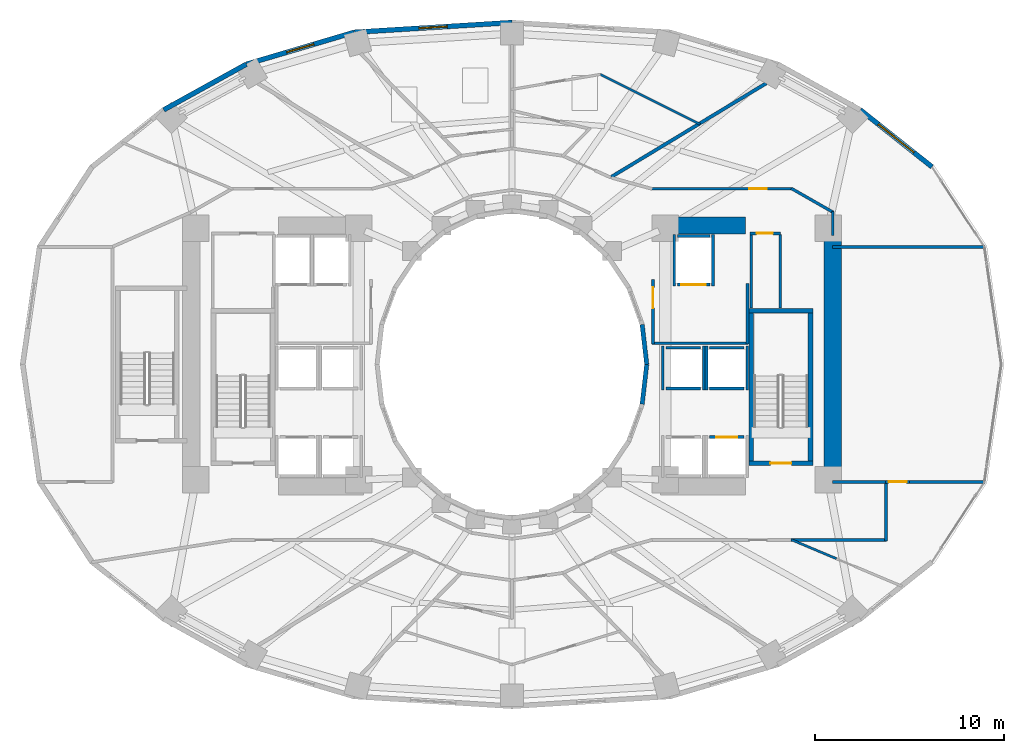
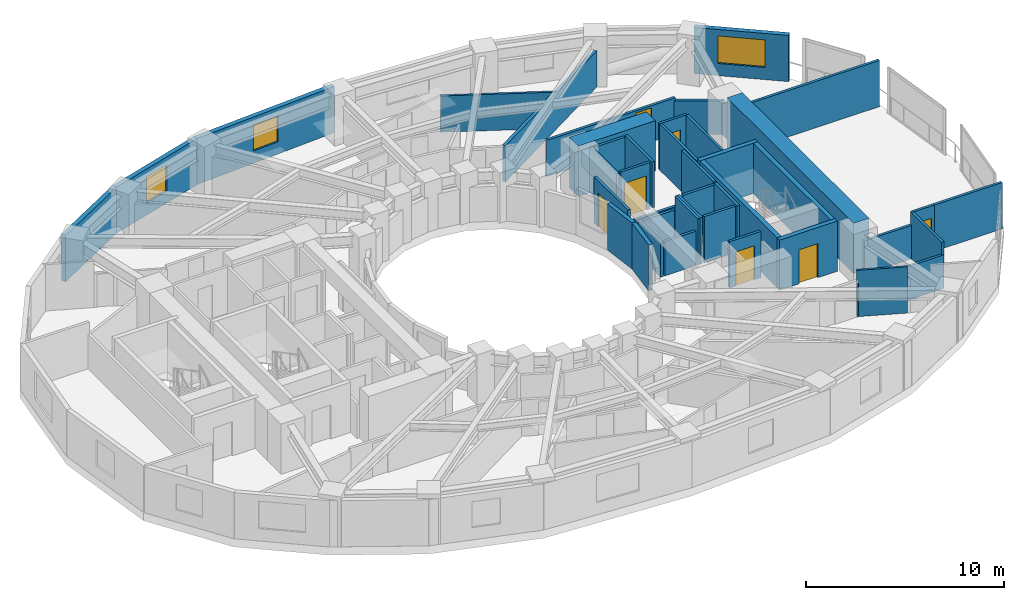
# One storey, part 10 of 15: 43 walls, 7 doors, 3 windows, 10 openings.
"""IFC4 building model written with IfcOpenShell, lengths in metres."""

from ifc_helpers import new_model, si_unit, direction, frame, frame_2d, origin, place, context, subcontext, project, spatial, rectangle, extrude, material, layer, layer_set, type_object, element, fill, save


model = new_model("IFC4")

# Units and contexts
model_context = context("Model", 3, precision=1e-05, world=origin(), true_north=direction((0.0, 1.0)))
body_context = subcontext(model_context, "Body", "Model", "MODEL_VIEW")
ifc_project = project(units=[si_unit("LENGTHUNIT", "METRE"), si_unit("AREAUNIT", "SQUARE_METRE"), si_unit("VOLUMEUNIT", "CUBIC_METRE"), si_unit("PLANEANGLEUNIT", "RADIAN"), si_unit("MASSUNIT", "GRAM", prefix="KILO")], contexts=[model_context])

# Site, building, storey
site_placement = place(None, origin())
site = spatial("IfcSite", under=ifc_project, at=site_placement, CompositionType="ELEMENT")
building_placement = place(site_placement, origin())
building = spatial("IfcBuilding", under=site, at=building_placement, Name="Solvane Sanctuary Tower", CompositionType="ELEMENT")
storey_placement = place(building_placement, frame((0.0, 0.0, 46.199951171875)))
storey = spatial("IfcBuildingStorey", under=building, at=storey_placement, Name="L13", CompositionType="ELEMENT", Elevation=46.199951171875)

# Walls
ifc_material_1 = material(Name="Concrete C70/85", Category="concrete")
ifc_layer_1 = layer(ifc_material_1, 0.89990234375, Name="Concrete C70/85")
ifc_layer_set_1 = layer_set([ifc_layer_1], Name="Concrete C70/85")
wall_type_1 = type_object("IfcWallType", Name="Wall W-CORE-900", PredefinedType="SHEAR", material=ifc_layer_set_1)
wall_1_placement = place(storey_placement, frame((48.949951171875, 17.050048828125, 0.0), z_axis=(0.0, 0.0, 1.0), x_axis=(0.0, 1.0, 0.0)))
element("IfcWall", 1, at=wall_1_placement, inside=storey, type_object=wall_type_1, Name="L13 Core Shear Wall EC-E", PredefinedType="SHEAR", context=body_context, shape_type="SweptSolid", body=[
    extrude(rectangle(XDim=12.800048828125, YDim=0.89990234375, at=frame_2d((6.39990234375, 0.0))), origin(), (0.0, 0.0, 1.0), 3.10009765625),
])
wall_2_placement = place(storey_placement, frame((39.85009765625, 30.35009765625, 0.0), z_axis=(0.0, 0.0, 1.0), x_axis=(1.0, 0.0, 0.0)))
element("IfcWall", 2, at=wall_2_placement, inside=storey, type_object=wall_type_1, Name="L13 Core Shear Wall EC-N", PredefinedType="SHEAR", context=body_context, shape_type="SweptSolid", body=[
    extrude(rectangle(XDim=4.5, YDim=0.89990234375, at=frame_2d((2.25, 0.0))), origin(), (0.0, 0.0, 1.0), 3.10009765625),
])
ifc_material_2 = material(Name="Acoustic Gypsum Partition Board")
ifc_layer_2 = layer(ifc_material_2, 0.14990234375, Name="Acoustic Gypsum Partition Board")
ifc_layer_set_2 = layer_set([ifc_layer_2], Name="Acoustic Gypsum Partition Board")
wall_type_2 = type_object("IfcWallType", Name="Wall W-CORR-150", PredefinedType="PARTITIONING", material=ifc_layer_set_2)
wall_3_placement = place(storey_placement, frame((39.39990234375, 24.1201171875, 0.0), z_axis=(0.0, 0.0, 1.0), x_axis=(1.0, 0.0, 0.0)))
element("IfcWall", 3, at=wall_3_placement, inside=storey, type_object=wall_type_2, Name="L13 East Firefighting Lobby South Wall", PredefinedType="PARTITIONING", context=body_context, shape_type="SweptSolid", body=[
    extrude(rectangle(XDim=5.080078125, YDim=0.14990234375, at=frame_2d((2.5400390625, 0.0))), origin(), (0.0, 0.0, 1.0), 2.1201171875),
])
wall_4_placement = place(storey_placement, frame((44.449951171875, 24.080078125, 0.0), z_axis=(0.0, 0.0, 1.0), x_axis=(0.0, 1.0, 0.0)))
element("IfcWall", 4, at=wall_4_placement, inside=storey, type_object=wall_type_2, Name="L13 East Firefighting Lobby East Wall", PredefinedType="PARTITIONING", context=body_context, shape_type="SweptSolid", body=[
    extrude(rectangle(XDim=3.199951171875, YDim=0.14990234375, at=frame_2d((1.60009765625, 0.0))), origin(), (0.0, 0.0, 1.0), 2.85498046875),
])

# Wall, opening, door
wall_5_placement = place(storey_placement, frame((39.449951171875, 24.080078125, 0.0), z_axis=(0.0, 0.0, 1.0), x_axis=(0.0, 1.0, 0.0)))
wall_5 = element("IfcWall", 5, at=wall_5_placement, inside=storey, type_object=wall_type_2, Name="L13 East Firefighting Lobby West Wall", PredefinedType="PARTITIONING", context=body_context, shape_type="SweptSolid", body=[
    extrude(rectangle(XDim=3.39990234375, YDim=0.14990234375, at=frame_2d((1.699951171875, 0.0))), origin(), (0.0, 0.0, 1.0), 2.85498046875),
])
opening_1_placement = place(wall_5_placement, frame((1.893798828125, 0.0, 0.0)))
opening_1 = element("IfcOpeningElement", 6, at=opening_1_placement, cuts=wall_5, Name="Opening D-L13-05", PredefinedType="OPENING", context=body_context, shape_type="SweptSolid", body=[
    extrude(rectangle(XDim=1.10009765625, YDim=2.10009765625, at=frame_2d((0.550048828125, 1.050048828125))), frame((0.0, 0.0849609375, 0.0), z_axis=(0.0, -1.0, 0.0), x_axis=(1.0, 0.0, 0.0)), (0.0, 0.0, 1.0), 0.169921875),
])
ifc_material_3 = material(Name="Architectural Stainless Steel 316", Category="steel")
door_type_1 = type_object("IfcDoorType", Name="Door D-FFL", OperationType="NOTDEFINED", PredefinedType="DOOR", material=ifc_material_3)
door_1_placement = place(opening_1_placement, origin())
door_1 = element("IfcDoor", 7, at=door_1_placement, inside=storey, type_object=door_type_1, Name="L13 East Firefighting Lobby Fire Door", OperationType="SINGLE_SWING_RIGHT", OverallHeight=2.10009765625, OverallWidth=1.10009765625, PredefinedType="DOOR", context=body_context, shape_type="SweptSolid", body=[
    extrude(rectangle(XDim=1.10009765625, YDim=2.10009765625, at=frame_2d((0.550048828125, 1.050048828125))), frame((0.0, 0.02490234375, 0.0), z_axis=(0.0, -1.0, 0.0), x_axis=(1.0, 0.0, 0.0)), (0.0, 0.0, 1.0), 0.050048828125),
])
fill(opening_1, door_1)

# Wall
wall_6_placement = place(storey_placement, frame((48.949951171875, 16.788330078125, 0.0), z_axis=(0.0, 0.0, 1.0), x_axis=(1.0, 0.0, 0.0)))
element("IfcWall", 8, at=wall_6_placement, inside=storey, type_object=wall_type_2, Name="L13 East Shoulder South Wall", PredefinedType="PARTITIONING", context=body_context, shape_type="SweptSolid", body=[
    extrude(rectangle(XDim=2.79296875, YDim=0.14990234375, at=frame_2d((1.396484375, 0.0))), origin(), (0.0, 0.0, 1.0), 2.069091796875),
])

# Wall, opening, door
wall_7_placement = place(storey_placement, frame((51.742919921875, 16.788330078125, 0.0), z_axis=(0.0, 0.0, 1.0), x_axis=(1.0, 0.0, 0.0)))
wall_7 = element("IfcWall", 9, at=wall_7_placement, inside=storey, type_object=wall_type_2, Name="L13 East Shoulder South Wall", PredefinedType="PARTITIONING", context=body_context, shape_type="SweptSolid", body=[
    extrude(rectangle(XDim=1.27001953125, YDim=0.14990234375, at=frame_2d((0.635009765625, 0.0))), origin(), (0.0, 0.0, 1.0), 2.85498046875),
])
opening_2_placement = place(wall_7_placement, frame((0.159912109375, 0.0, 0.0)))
opening_2 = element("IfcOpeningElement", 10, at=opening_2_placement, cuts=wall_7, Name="Opening D-L13-08", PredefinedType="OPENING", context=body_context, shape_type="SweptSolid", body=[
    extrude(rectangle(XDim=0.949951171875, YDim=2.10009765625, at=frame_2d((0.47509765625, 1.050048828125))), frame((0.0, 0.0849609375, 0.0), z_axis=(0.0, -1.0, 0.0), x_axis=(1.0, 0.0, 0.0)), (0.0, 0.0, 1.0), 0.169921875),
])
ifc_material_4 = material(Name="Engineered Tropical Hardwood", Category="wood")
door_type_2 = type_object("IfcDoorType", Name="Door D-ROOM-950", OperationType="NOTDEFINED", PredefinedType="DOOR", material=ifc_material_4)
door_2_placement = place(opening_2_placement, origin())
door_2 = element("IfcDoor", 11, at=door_2_placement, inside=storey, type_object=door_type_2, Name="L13 East Shoulder South Door", OperationType="SINGLE_SWING_LEFT", OverallHeight=2.10009765625, OverallWidth=0.949951171875, PredefinedType="DOOR", context=body_context, shape_type="SweptSolid", body=[
    extrude(rectangle(XDim=0.949951171875, YDim=2.10009765625, at=frame_2d((0.47509765625, 1.050048828125))), frame((0.0, 0.02490234375, 0.0), z_axis=(0.0, -1.0, 0.0), x_axis=(1.0, 0.0, 0.0)), (0.0, 0.0, 1.0), 0.050048828125),
])
fill(opening_2, door_2)

# Walls
wall_8_placement = place(storey_placement, frame((53.012939453125, 16.788330078125, 0.0), z_axis=(0.0, 0.0, 1.0), x_axis=(1.0, 0.0, 0.0)))
element("IfcWall", 12, at=wall_8_placement, inside=storey, type_object=wall_type_2, Name="L13 East Shoulder South Wall", PredefinedType="PARTITIONING", context=body_context, shape_type="SweptSolid", body=[
    extrude(rectangle(XDim=3.973388671875, YDim=0.14990234375, at=frame_2d((1.98681640625, 0.0))), origin(), (0.0, 0.0, 1.0), 2.85498046875),
])
wall_9_placement = place(storey_placement, frame((48.949951171875, 29.211669921875, 0.0), z_axis=(0.0, 0.0, 1.0), x_axis=(1.0, 0.0, 0.0)))
element("IfcWall", 13, at=wall_9_placement, inside=storey, type_object=wall_type_2, Name="L13 East Shoulder North Wall", PredefinedType="PARTITIONING", context=body_context, shape_type="SweptSolid", body=[
    extrude(rectangle(XDim=8.036376953125, YDim=0.14990234375, at=frame_2d((4.01806640625, 0.0))), origin(), (0.0, 0.0, 1.0), 2.85498046875),
])
wall_10_placement = place(storey_placement, frame((48.949951171875, 29.800048828125, 0.0), z_axis=(0.0, 0.0, 1.0), x_axis=(0.0, 1.0, 0.0)))
element("IfcWall", 14, at=wall_10_placement, inside=storey, type_object=wall_type_2, Name="L13 NE Corner Closer 1", PredefinedType="PARTITIONING", context=body_context, shape_type="SweptSolid", body=[
    extrude(rectangle(XDim=1.2900390625, YDim=0.14990234375, at=frame_2d((0.64501953125, 0.0))), origin(), (0.0, 0.0, 1.0), 2.069091796875),
])

# Wall, opening, door
wall_11_placement = place(storey_placement, frame((39.330078125, 32.280029296875, 0.0), z_axis=(0.0, 0.0, 1.0), x_axis=(1.0, 0.0, 0.0)))
wall_11 = element("IfcWall", 15, at=wall_11_placement, inside=storey, type_object=wall_type_2, Name="L13 NE Corner Corridor Wall", PredefinedType="PARTITIONING", context=body_context, shape_type="SweptSolid", body=[
    extrude(rectangle(XDim=7.52001953125, YDim=0.14990234375, at=frame_2d((3.760009765625, 0.0))), origin(), (0.0, 0.0, 1.0), 2.237060546875),
])
opening_3_placement = place(wall_11_placement, frame((5.219970703125, 0.0, 0.0)))
opening_3 = element("IfcOpeningElement", 16, at=opening_3_placement, cuts=wall_11, Name="Opening D-L13-10", PredefinedType="OPENING", context=body_context, shape_type="SweptSolid", body=[
    extrude(rectangle(XDim=0.89990234375, YDim=2.10009765625, at=frame_2d((0.449951171875, 1.050048828125))), frame((0.0, 0.0849609375, 0.0), z_axis=(0.0, -1.0, 0.0), x_axis=(1.0, 0.0, 0.0)), (0.0, 0.0, 1.0), 0.169921875),
])
door_type_3 = type_object("IfcDoorType", Name="Door D-WET-900", OperationType="NOTDEFINED", PredefinedType="DOOR", material=ifc_material_4)
door_3_placement = place(opening_3_placement, origin())
door_3 = element("IfcDoor", 17, at=door_3_placement, inside=storey, type_object=door_type_3, Name="L13 NE Corner Salon Door", OperationType="SINGLE_SWING_LEFT", OverallHeight=2.10009765625, OverallWidth=0.89990234375, PredefinedType="DOOR", context=body_context, shape_type="SweptSolid", body=[
    extrude(rectangle(XDim=0.89990234375, YDim=2.10009765625, at=frame_2d((0.449951171875, 1.050048828125))), frame((0.0, 0.02490234375, 0.0), z_axis=(0.0, -1.0, 0.0), x_axis=(1.0, 0.0, 0.0)), (0.0, 0.0, 1.0), 0.050048828125),
])
fill(opening_3, door_3)

# Walls
wall_12_placement = place(storey_placement, frame((46.756591796875, 32.3046875, 0.0), z_axis=(0.0, 0.0, 1.0), x_axis=(0.867991349648, -0.496579315857, 0.0)))
element("IfcWall", 18, at=wall_12_placement, inside=storey, type_object=wall_type_2, Name="L13 NE Corner Wing Wall", PredefinedType="PARTITIONING", context=body_context, shape_type="SweptSolid", body=[
    extrude(rectangle(XDim=2.56689453125, YDim=0.14990234375, at=frame_2d((1.283447265625, 0.0))), origin(), (0.0, 0.0, 1.0), 2.069091796875),
])
wall_13_placement = place(storey_placement, frame((51.760009765625, 13.679931640625, 0.0), z_axis=(0.0, 0.0, 1.0), x_axis=(0.0, 1.0, 0.0)))
element("IfcWall", 19, at=wall_13_placement, inside=storey, type_object=wall_type_2, Name="L13 SE Corner Closer 1", PredefinedType="PARTITIONING", context=body_context, shape_type="SweptSolid", body=[
    extrude(rectangle(XDim=3.1484375, YDim=0.14990234375, at=frame_2d((1.57421875, 0.0))), origin(), (0.0, 0.0, 1.0), 2.85498046875),
])
wall_14_placement = place(storey_placement, frame((46.75, 13.719970703125, 0.0), z_axis=(0.0, 0.0, 1.0), x_axis=(1.0, 0.0, 0.0)))
element("IfcWall", 20, at=wall_14_placement, inside=storey, type_object=wall_type_2, Name="L13 SE Corner Wing Wall", PredefinedType="PARTITIONING", context=body_context, shape_type="SweptSolid", body=[
    extrude(rectangle(XDim=5.050048828125, YDim=0.14990234375, at=frame_2d((2.52490234375, 0.0))), origin(), (0.0, 0.0, 1.0), 2.069091796875),
])

# Wall, opening, window
ifc_material_5 = material(Name="Precast concrete C40/50", Category="concrete")
ifc_layer_3 = layer(ifc_material_5, 0.260009765625, Name="Precast concrete C40/50")
ifc_layer_set_3 = layer_set([ifc_layer_3], Name="Precast concrete C40/50")
wall_type_3 = type_object("IfcWallType", Name="Wall W-EXT-250", PredefinedType="STANDARD", material=ifc_layer_set_3)
wall_15_placement = place(storey_placement, frame((54.19384765625, 33.44091796875, 0.0), z_axis=(0.0, 0.0, 1.0), x_axis=(-0.783123133379, 0.621866672179, 0.0)))
wall_15 = element("IfcWall", 21, at=wall_15_placement, inside=storey, type_object=wall_type_3, Name="L13 Ceramic-Printed Facade Wall 02", PredefinedType="STANDARD", context=body_context, shape_type="SweptSolid", body=[
    extrude(rectangle(XDim=4.838623046875, YDim=0.260009765625, at=frame_2d((2.41943359375, 0.0))), origin(), (0.0, 0.0, 1.0), 2.85009765625),
])
opening_4_placement = place(wall_15_placement, frame((1.21923828125, 0.0, 0.75)))
opening_4 = element("IfcOpeningElement", 22, at=opening_4_placement, cuts=wall_15, Name="Opening WN-RIB-2400", PredefinedType="OPENING", context=body_context, shape_type="SweptSolid", body=[
    extrude(rectangle(XDim=2.39990234375, YDim=1.699951171875, at=frame_2d((1.199951171875, 0.85009765625))), frame((0.0, 0.139892578125, 0.0), z_axis=(0.0, -1.0, 0.0), x_axis=(1.0, 0.0, 0.0)), (0.0, 0.0, 1.0), 0.280029296875),
])
ifc_material_6 = material(Name="Dark Ceramic-Fritted Low-E Glass", Category="glass")
window_type_1 = type_object("IfcWindowType", Name="Window WN-RIB-2400", PartitioningType="SINGLE_PANEL", PredefinedType="WINDOW", material=ifc_material_6)
window_1_placement = place(opening_4_placement, origin())
window_1 = element("IfcWindow", 23, at=window_1_placement, inside=storey, type_object=window_type_1, Name="L13 Operable Facade Window 02", OverallHeight=1.699951171875, OverallWidth=2.39990234375, PartitioningType="SINGLE_PANEL", PredefinedType="WINDOW", context=body_context, shape_type="SweptSolid", body=[
    extrude(rectangle(XDim=2.39990234375, YDim=1.699951171875, at=frame_2d((1.199951171875, 0.85009765625))), frame((0.0, 0.030029296875, 0.0), z_axis=(0.0, -1.0, 0.0), x_axis=(1.0, 0.0, 0.0)), (0.0, 0.0, 1.0), 0.06005859375),
])
fill(opening_4, window_1)

wall_16_placement = place(storey_placement, frame((32.0, 41.068603515625, 0.0), z_axis=(0.0, 0.0, 1.0), x_axis=(-0.998090514779, -0.061768311519, 0.0)))
wall_16 = element("IfcWall", 24, at=wall_16_placement, inside=storey, type_object=wall_type_3, Name="L13 Ceramic-Printed Facade Wall 06", PredefinedType="STANDARD", context=body_context, shape_type="SweptSolid", body=[
    extrude(rectangle(XDim=8.34765625, YDim=0.260009765625, at=frame_2d((4.173828125, 0.0))), origin(), (0.0, 0.0, 1.0), 2.85009765625),
])
opening_5_placement = place(wall_16_placement, frame((3.423828125, 0.0, 0.75)))
opening_5 = element("IfcOpeningElement", 25, at=opening_5_placement, cuts=wall_16, Name="Opening WN-OPER-1500", PredefinedType="OPENING", context=body_context, shape_type="SweptSolid", body=[
    extrude(rectangle(XDim=1.5, YDim=1.60009765625, at=frame_2d((0.75, 0.800048828125))), frame((0.0, 0.139892578125, 0.0), z_axis=(0.0, -1.0, 0.0), x_axis=(1.0, 0.0, 0.0)), (0.0, 0.0, 1.0), 0.280029296875),
])
window_type_2 = type_object("IfcWindowType", Name="Window WN-OPER-1500", PartitioningType="SINGLE_PANEL", PredefinedType="WINDOW", material=ifc_material_6)
window_2_placement = place(opening_5_placement, origin())
window_2 = element("IfcWindow", 26, at=window_2_placement, inside=storey, type_object=window_type_2, Name="L13 Operable Facade Window 06", OverallHeight=1.60009765625, OverallWidth=1.5, PartitioningType="SINGLE_PANEL", PredefinedType="WINDOW", context=body_context, shape_type="SweptSolid", body=[
    extrude(rectangle(XDim=1.5, YDim=1.60009765625, at=frame_2d((0.75, 0.800048828125))), frame((0.0, 0.030029296875, 0.0), z_axis=(0.0, -1.0, 0.0), x_axis=(1.0, 0.0, 0.0)), (0.0, 0.0, 1.0), 0.06005859375),
])
fill(opening_5, window_2)

wall_17_placement = place(storey_placement, frame((23.668212890625, 40.552978515625, 0.0), z_axis=(0.0, 0.0, 1.0), x_axis=(-0.958843593522, -0.283934786811, 0.0)))
wall_17 = element("IfcWall", 27, at=wall_17_placement, inside=storey, type_object=wall_type_3, Name="L13 Ceramic-Printed Facade Wall 07", PredefinedType="STANDARD", context=body_context, shape_type="SweptSolid", body=[
    extrude(rectangle(XDim=5.955322265625, YDim=0.260009765625, at=frame_2d((2.9775390625, 0.0))), origin(), (0.0, 0.0, 1.0), 2.85009765625),
])
opening_6_placement = place(wall_17_placement, frame((2.227783203125, 0.0, 0.75)))
opening_6 = element("IfcOpeningElement", 28, at=opening_6_placement, cuts=wall_17, Name="Opening WN-OPER-1500", PredefinedType="OPENING", context=body_context, shape_type="SweptSolid", body=[
    extrude(rectangle(XDim=1.5, YDim=1.60009765625, at=frame_2d((0.75, 0.800048828125))), frame((0.0, 0.139892578125, 0.0), z_axis=(0.0, -1.0, 0.0), x_axis=(1.0, 0.0, 0.0)), (0.0, 0.0, 1.0), 0.280029296875),
])
window_3_placement = place(opening_6_placement, origin())
window_3 = element("IfcWindow", 29, at=window_3_placement, inside=storey, type_object=window_type_2, Name="L13 Operable Facade Window 07", OverallHeight=1.60009765625, OverallWidth=1.5, PartitioningType="SINGLE_PANEL", PredefinedType="WINDOW", context=body_context, shape_type="SweptSolid", body=[
    extrude(rectangle(XDim=1.5, YDim=1.60009765625, at=frame_2d((0.75, 0.800048828125))), frame((0.0, 0.030029296875, 0.0), z_axis=(0.0, -1.0, 0.0), x_axis=(1.0, 0.0, 0.0)), (0.0, 0.0, 1.0), 0.06005859375),
])
fill(opening_6, window_3)

# Walls
wall_18_placement = place(storey_placement, frame((17.9580078125, 38.862060546875, 0.0), z_axis=(0.0, 0.0, 1.0), x_axis=(-0.875137303239, -0.483874674352, 0.0)))
element("IfcWall", 30, at=wall_18_placement, inside=storey, type_object=wall_type_3, Name="L13 Ceramic-Printed Facade Wall 08", PredefinedType="STANDARD", context=body_context, shape_type="SweptSolid", body=[
    extrude(rectangle(XDim=4.985107421875, YDim=0.260009765625, at=frame_2d((2.49267578125, 0.0))), origin(), (0.0, 0.0, 1.0), 2.85009765625),
])
ifc_layer_4 = layer(ifc_material_5, 0.22998046875, Name="Precast concrete C40/50")
ifc_layer_set_4 = layer_set([ifc_layer_4], Name="Precast concrete C40/50")
wall_type_4 = type_object("IfcWallType", Name="Wall W-EXT-SP220", PredefinedType="STANDARD", material=ifc_layer_set_4)
for number, where, z_axis, x_axis, name in (
    (31, (39.1201171875, 23.0, 0.0), (0.0, 0.0, 1.0), (-0.114711713601, 0.993398823617, 0.0), "L13 Central Light-Well Wall 00"),
    (32, (38.87744140625, 20.8984375, 0.0), (0.0, 0.0, 1.0), (0.114711713601, 0.993398823617, 0.0), "L13 Central Light-Well Wall 23"),
):
    element("IfcWall", number, at=place(storey_placement, frame(where, z_axis=z_axis, x_axis=x_axis)), inside=storey, type_object=wall_type_4, Name=name, PredefinedType="STANDARD", context=body_context, shape_type="SweptSolid", body=[
        extrude(rectangle(XDim=2.115478515625, YDim=0.22998046875, at=frame_2d((1.0576171875, 0.0))), origin(), (0.0, 0.0, 1.0), 2.840087890625),
    ])
ifc_layer_5 = layer(ifc_material_2, 0.1201171875, Name="Acoustic Gypsum Partition Board")
ifc_layer_set_5 = layer_set([ifc_layer_5], Name="Acoustic Gypsum Partition Board")
wall_type_5 = type_object("IfcWallType", Name="Wall W-MOV-100", PredefinedType="MOVABLE", material=ifc_layer_set_5)
wall_19_placement = place(storey_placement, frame((46.75390625, 13.739501953125, 0.0), z_axis=(0.0, 0.0, 1.0), x_axis=(0.921672585584, -0.3879686134, 0.0)))
element("IfcWall", 33, at=wall_19_placement, inside=storey, type_object=wall_type_5, Name="L13 SE Corner Suite Partition", PredefinedType="MOVABLE", context=body_context, shape_type="SweptSolid", body=[
    extrude(rectangle(XDim=2.59326171875, YDim=0.1201171875, at=frame_2d((1.296630859375, 0.0))), origin(), (0.0, 0.0, 1.0), 2.85498046875),
])
wall_20_placement = place(storey_placement, frame((41.935546875, 35.691162109375, 0.0), z_axis=(0.0, 0.0, 1.0), x_axis=(-0.894128783551, 0.447809913274, 0.0)))
element("IfcWall", 34, at=wall_20_placement, inside=storey, type_object=wall_type_5, Name="L13 Suite Sitting Lounge Partition N1", PredefinedType="MOVABLE", context=body_context, shape_type="SweptSolid", body=[
    extrude(rectangle(XDim=5.89453125, YDim=0.1201171875, at=frame_2d((2.947265625, 0.0))), origin(), (0.0, 0.0, 1.0), 2.237060546875),
])

# Wall, opening, door
ifc_material_7 = material(Name="Concrete C50/60", Category="concrete")
ifc_layer_6 = layer(ifc_material_7, 0.14990234375, Name="Concrete C50/60")
ifc_layer_set_6 = layer_set([ifc_layer_6], Name="Concrete C50/60")
wall_type_6 = type_object("IfcWallType", Name="Wall W-SHAFT-150", PredefinedType="SOLIDWALL", material=ifc_layer_set_6)
wall_21_placement = place(storey_placement, frame((42.43994140625, 19.159912109375, 0.0), z_axis=(0.0, 0.0, 1.0), x_axis=(1.0, 0.0, 0.0)))
wall_21 = element("IfcWall", 35, at=wall_21_placement, inside=storey, type_object=wall_type_6, Name="L13 PL-4 Lift Shaft Wall F", PredefinedType="SOLIDWALL", context=body_context, shape_type="SweptSolid", body=[
    extrude(rectangle(XDim=1.820068359375, YDim=0.14990234375, at=frame_2d((0.91015625, 0.0))), origin(), (0.0, 0.0, 1.0), 2.85498046875),
])
opening_7_placement = place(wall_21_placement, frame((0.360107421875, 0.0, 0.0)))
opening_7 = element("IfcOpeningElement", 36, at=opening_7_placement, cuts=wall_21, Name="Opening LD-L13-04", PredefinedType="OPENING", context=body_context, shape_type="SweptSolid", body=[
    extrude(rectangle(XDim=1.10009765625, YDim=2.10009765625, at=frame_2d((0.550048828125, 1.050048828125))), frame((0.0, 0.0849609375, 0.0), z_axis=(0.0, -1.0, 0.0), x_axis=(1.0, 0.0, 0.0)), (0.0, 0.0, 1.0), 0.169921875),
])
door_type_4 = type_object("IfcDoorType", Name="Door LD-PASS-1100", OperationType="NOTDEFINED", PredefinedType="DOOR", material=ifc_material_3)
door_4_placement = place(opening_7_placement, origin())
door_4 = element("IfcDoor", 37, at=door_4_placement, inside=storey, type_object=door_type_4, Name="L13 PL-4 Lift Landing Door", OperationType="DOUBLE_DOOR_SLIDING", OverallHeight=2.10009765625, OverallWidth=1.10009765625, PredefinedType="DOOR", context=body_context, shape_type="SweptSolid", body=[
    extrude(rectangle(XDim=1.10009765625, YDim=2.10009765625, at=frame_2d((0.550048828125, 1.050048828125))), frame((0.0, 0.02490234375, 0.0), z_axis=(0.0, -1.0, 0.0), x_axis=(1.0, 0.0, 0.0)), (0.0, 0.0, 1.0), 0.050048828125),
])
fill(opening_7, door_4)

# Walls
for number, where, z_axis, x_axis, name in (
    (38, (42.43994140625, 21.719970703125, 0.0), (0.0, 0.0, 1.0), (1.0, 0.0, 0.0), "L13 PM-2 Lift Shaft Wall F"),
    (39, (42.43994140625, 23.8798828125, 0.0), (0.0, 0.0, 1.0), (1.0, 0.0, 0.0), "L13 PM-2 Lift Shaft Wall B"),
):
    element("IfcWall", number, at=place(storey_placement, frame(where, z_axis=z_axis, x_axis=x_axis)), inside=storey, type_object=wall_type_6, Name=name, PredefinedType="SOLIDWALL", context=body_context, shape_type="SweptSolid", body=[
        extrude(rectangle(XDim=1.820068359375, YDim=0.14990234375, at=frame_2d((0.91015625, 0.0))), origin(), (0.0, 0.0, 1.0), 2.85498046875),
    ])
for number, where, z_axis, x_axis, name in (
    (40, (42.27001953125, 21.639892578125, 0.0), (0.0, 0.0, 1.0), (0.0, 1.0, 0.0), "L13 PM-2 Lift Shaft Wall S1"),
    (41, (44.429931640625, 21.639892578125, 0.0), (0.0, 0.0, 1.0), (0.0, 1.0, 0.0), "L13 PM-2 Lift Shaft Wall S2"),
):
    element("IfcWall", number, at=place(storey_placement, frame(where, z_axis=z_axis, x_axis=x_axis)), inside=storey, type_object=wall_type_6, Name=name, PredefinedType="SOLIDWALL", context=body_context, shape_type="SweptSolid", body=[
        extrude(rectangle(XDim=2.320068359375, YDim=0.14990234375, at=frame_2d((1.16015625, 0.0))), origin(), (0.0, 0.0, 1.0), 2.85498046875),
    ])
for number, where, z_axis, x_axis, name in (
    (42, (40.139892578125, 21.719970703125, 0.0), (0.0, 0.0, 1.0), (1.0, 0.0, 0.0), "L13 PH-2 Lift Shaft Wall F"),
    (43, (40.139892578125, 23.8798828125, 0.0), (0.0, 0.0, 1.0), (1.0, 0.0, 0.0), "L13 PH-2 Lift Shaft Wall B"),
):
    element("IfcWall", number, at=place(storey_placement, frame(where, z_axis=z_axis, x_axis=x_axis)), inside=storey, type_object=wall_type_6, Name=name, PredefinedType="SOLIDWALL", context=body_context, shape_type="SweptSolid", body=[
        extrude(rectangle(XDim=1.820068359375, YDim=0.14990234375, at=frame_2d((0.91015625, 0.0))), origin(), (0.0, 0.0, 1.0), 2.1201171875),
    ])
wall_22_placement = place(storey_placement, frame((39.969970703125, 21.639892578125, 0.0), z_axis=(0.0, 0.0, 1.0), x_axis=(0.0, 1.0, 0.0)))
element("IfcWall", 44, at=wall_22_placement, inside=storey, type_object=wall_type_6, Name="L13 PH-2 Lift Shaft Wall S1", PredefinedType="SOLIDWALL", context=body_context, shape_type="SweptSolid", body=[
    extrude(rectangle(XDim=2.320068359375, YDim=0.14990234375, at=frame_2d((1.16015625, 0.0))), origin(), (0.0, 0.0, 1.0), 2.1201171875),
])
wall_23_placement = place(storey_placement, frame((42.1298828125, 21.639892578125, 0.0), z_axis=(0.0, 0.0, 1.0), x_axis=(0.0, 1.0, 0.0)))
element("IfcWall", 45, at=wall_23_placement, inside=storey, type_object=wall_type_6, Name="L13 PH-2 Lift Shaft Wall S2", PredefinedType="SOLIDWALL", context=body_context, shape_type="SweptSolid", body=[
    extrude(rectangle(XDim=2.320068359375, YDim=0.14990234375, at=frame_2d((1.16015625, 0.0))), origin(), (0.0, 0.0, 1.0), 2.85498046875),
])

# Wall, opening, door
wall_24_placement = place(storey_placement, frame((40.739990234375, 27.219970703125, 0.0), z_axis=(0.0, 0.0, 1.0), x_axis=(1.0, 0.0, 0.0)))
wall_24 = element("IfcWall", 46, at=wall_24_placement, inside=storey, type_object=wall_type_6, Name="L13 FFL-2 Lift Shaft Wall F", PredefinedType="SOLIDWALL", context=body_context, shape_type="SweptSolid", body=[
    extrude(rectangle(XDim=1.719970703125, YDim=0.14990234375, at=frame_2d((0.85986328125, 0.0))), origin(), (0.0, 0.0, 1.0), 2.85498046875),
])
opening_8_placement = place(wall_24_placement, frame((0.2099609375, 0.0, 0.0)))
opening_8 = element("IfcOpeningElement", 47, at=opening_8_placement, cuts=wall_24, Name="Opening LD-L13-07", PredefinedType="OPENING", context=body_context, shape_type="SweptSolid", body=[
    extrude(rectangle(XDim=1.300048828125, YDim=2.10009765625, at=frame_2d((0.64990234375, 1.050048828125))), frame((0.0, 0.0849609375, 0.0), z_axis=(0.0, -1.0, 0.0), x_axis=(1.0, 0.0, 0.0)), (0.0, 0.0, 1.0), 0.169921875),
])
door_type_5 = type_object("IfcDoorType", Name="Door LD-FFL-1300", OperationType="NOTDEFINED", PredefinedType="DOOR", material=ifc_material_3)
door_5_placement = place(opening_8_placement, origin())
door_5 = element("IfcDoor", 48, at=door_5_placement, inside=storey, type_object=door_type_5, Name="L13 FFL-2 Lift Landing Door", OperationType="DOUBLE_DOOR_SLIDING", OverallHeight=2.10009765625, OverallWidth=1.300048828125, PredefinedType="DOOR", context=body_context, shape_type="SweptSolid", body=[
    extrude(rectangle(XDim=1.300048828125, YDim=2.10009765625, at=frame_2d((0.64990234375, 1.050048828125))), frame((0.0, 0.02490234375, 0.0), z_axis=(0.0, -1.0, 0.0), x_axis=(1.0, 0.0, 0.0)), (0.0, 0.0, 1.0), 0.050048828125),
])
fill(opening_8, door_5)

# Walls
wall_25_placement = place(storey_placement, frame((40.739990234375, 29.780029296875, 0.0), z_axis=(0.0, 0.0, 1.0), x_axis=(1.0, 0.0, 0.0)))
element("IfcWall", 49, at=wall_25_placement, inside=storey, type_object=wall_type_6, Name="L13 FFL-2 Lift Shaft Wall B", PredefinedType="SOLIDWALL", context=body_context, shape_type="SweptSolid", body=[
    extrude(rectangle(XDim=1.719970703125, YDim=0.14990234375, at=frame_2d((0.85986328125, 0.0))), origin(), (0.0, 0.0, 1.0), 2.85498046875),
])
for number, where, z_axis, x_axis, name in (
    (50, (40.570068359375, 27.139892578125, 0.0), (0.0, 0.0, 1.0), (0.0, 1.0, 0.0), "L13 FFL-2 Lift Shaft Wall S1"),
    (51, (42.6298828125, 27.139892578125, 0.0), (0.0, 0.0, 1.0), (0.0, 1.0, 0.0), "L13 FFL-2 Lift Shaft Wall S2"),
):
    element("IfcWall", number, at=place(storey_placement, frame(where, z_axis=z_axis, x_axis=x_axis)), inside=storey, type_object=wall_type_6, Name=name, PredefinedType="SOLIDWALL", context=body_context, shape_type="SweptSolid", body=[
        extrude(rectangle(XDim=2.72021484375, YDim=0.14990234375, at=frame_2d((1.360107421875, 0.0))), origin(), (0.0, 0.0, 1.0), 2.85498046875),
    ])

# Wall, opening, door
ifc_layer_7 = layer(ifc_material_7, 0.25, Name="Concrete C50/60")
ifc_layer_set_7 = layer_set([ifc_layer_7], Name="Concrete C50/60")
wall_type_7 = type_object("IfcWallType", Name="Wall W-SHAFT-250", PredefinedType="SOLIDWALL", material=ifc_layer_set_7)
wall_26_placement = place(storey_placement, frame((44.52490234375, 17.77001953125, 0.0), z_axis=(0.0, 0.0, 1.0), x_axis=(1.0, 0.0, 0.0)))
wall_26 = element("IfcWall", 52, at=wall_26_placement, inside=storey, type_object=wall_type_7, Name="L13 ST-2 Load-Bearing Shaft Wall S", PredefinedType="SOLIDWALL", context=body_context, shape_type="SweptSolid", body=[
    extrude(rectangle(XDim=3.3701171875, YDim=0.25, at=frame_2d((1.68505859375, 0.0))), origin(), (0.0, 0.0, 1.0), 3.10009765625),
])
opening_9_placement = place(wall_26_placement, frame((1.135009765625, 0.0, 0.0)))
opening_9 = element("IfcOpeningElement", 53, at=opening_9_placement, cuts=wall_26, Name="Opening D-L13-02", PredefinedType="OPENING", context=body_context, shape_type="SweptSolid", body=[
    extrude(rectangle(XDim=1.10009765625, YDim=2.10009765625, at=frame_2d((0.550048828125, 1.050048828125))), frame((0.0, 0.135009765625, 0.0), z_axis=(0.0, -1.0, 0.0), x_axis=(1.0, 0.0, 0.0)), (0.0, 0.0, 1.0), 0.27001953125),
])
door_type_6 = type_object("IfcDoorType", Name="Door D-STAIR", OperationType="NOTDEFINED", PredefinedType="DOOR", material=ifc_material_3)
door_6_placement = place(opening_9_placement, origin())
door_6 = element("IfcDoor", 54, at=door_6_placement, inside=storey, type_object=door_type_6, Name="L13 ST-2 Exit Stair Fire Door", OperationType="SINGLE_SWING_RIGHT", OverallHeight=2.10009765625, OverallWidth=1.10009765625, PredefinedType="DOOR", context=body_context, shape_type="SweptSolid", body=[
    extrude(rectangle(XDim=1.10009765625, YDim=2.10009765625, at=frame_2d((0.550048828125, 1.050048828125))), frame((0.0, 0.02490234375, 0.0), z_axis=(0.0, -1.0, 0.0), x_axis=(1.0, 0.0, 0.0)), (0.0, 0.0, 1.0), 0.050048828125),
])
fill(opening_9, door_6)

# Walls
wall_27_placement = place(storey_placement, frame((44.52490234375, 25.830078125, 0.0), z_axis=(0.0, 0.0, 1.0), x_axis=(1.0, 0.0, 0.0)))
element("IfcWall", 55, at=wall_27_placement, inside=storey, type_object=wall_type_7, Name="L13 ST-2 Load-Bearing Shaft Wall N", PredefinedType="SOLIDWALL", context=body_context, shape_type="SweptSolid", body=[
    extrude(rectangle(XDim=3.3701171875, YDim=0.25, at=frame_2d((1.68505859375, 0.0))), origin(), (0.0, 0.0, 1.0), 3.10009765625),
])
for number, where, z_axis, x_axis, name in (
    (56, (44.64990234375, 17.89501953125, 0.0), (0.0, 0.0, 1.0), (0.0, 1.0, 0.0), "L13 ST-2 Load-Bearing Shaft Wall W"),
    (57, (47.77001953125, 17.89501953125, 0.0), (0.0, 0.0, 1.0), (0.0, 1.0, 0.0), "L13 ST-2 Load-Bearing Shaft Wall E"),
):
    element("IfcWall", number, at=place(storey_placement, frame(where, z_axis=z_axis, x_axis=x_axis)), inside=storey, type_object=wall_type_7, Name=name, PredefinedType="SOLIDWALL", context=body_context, shape_type="SweptSolid", body=[
        extrude(rectangle(XDim=7.81005859375, YDim=0.25, at=frame_2d((3.905029296875, 0.0))), origin(), (0.0, 0.0, 1.0), 3.10009765625),
    ])
ifc_layer_8 = layer(ifc_material_2, 0.179931640625, Name="Acoustic Gypsum Partition Board")
ifc_layer_set_8 = layer_set([ifc_layer_8], Name="Acoustic Gypsum Partition Board")
wall_type_8 = type_object("IfcWallType", Name="Wall W-UNIT-180", PredefinedType="PARTITIONING", material=ifc_layer_set_8)
wall_28_placement = place(storey_placement, frame((37.252197265625, 32.909912109375, 0.0), z_axis=(0.0, 0.0, 1.0), x_axis=(0.855817136021, 0.517278483694, 0.0)))
element("IfcWall", 58, at=wall_28_placement, inside=storey, type_object=wall_type_8, Name="L13 Radial Compartment Wall 060", PredefinedType="PARTITIONING", context=body_context, shape_type="SweptSolid", body=[
    extrude(rectangle(XDim=9.56396484375, YDim=0.179931640625, at=frame_2d((4.781982421875, 0.0))), origin(), (0.0, 0.0, 1.0), 2.237060546875),
])

# Wall, opening, door
ifc_layer_9 = layer(ifc_material_2, 0.139892578125, Name="Acoustic Gypsum Partition Board")
ifc_layer_set_9 = layer_set([ifc_layer_9], Name="Acoustic Gypsum Partition Board")
wall_type_9 = type_object("IfcWallType", Name="Wall W-WET-140", PredefinedType="PLUMBINGWALL", material=ifc_layer_set_9)
wall_29_placement = place(storey_placement, frame((44.580078125, 29.919921875, 0.0), z_axis=(0.0, 0.0, 1.0), x_axis=(1.0, 0.0, 0.0)))
wall_29 = element("IfcWall", 59, at=wall_29_placement, inside=storey, type_object=wall_type_9, Name="L13 Core Service Front Wall KE0S", PredefinedType="PLUMBINGWALL", context=body_context, shape_type="SweptSolid", body=[
    extrude(rectangle(XDim=1.599853515625, YDim=0.139892578125, at=frame_2d((0.7998046875, 0.0))), origin(), (0.0, 0.0, 1.0), 2.85498046875),
])
opening_10_placement = place(wall_29_placement, frame((0.35009765625, 0.0, 0.0)))
opening_10 = element("IfcOpeningElement", 60, at=opening_10_placement, cuts=wall_29, Name="Opening D-L13-07", PredefinedType="OPENING", context=body_context, shape_type="SweptSolid", body=[
    extrude(rectangle(XDim=0.85009765625, YDim=2.050048828125, at=frame_2d((0.425048828125, 1.02490234375))), frame((0.0, 0.079833984375, 0.0), z_axis=(0.0, -1.0, 0.0), x_axis=(1.0, 0.0, 0.0)), (0.0, 0.0, 1.0), 0.159912109375),
])
door_type_7 = type_object("IfcDoorType", Name="Door D-RISER", OperationType="NOTDEFINED", PredefinedType="DOOR", material=ifc_material_3)
door_7_placement = place(opening_10_placement, origin())
door_7 = element("IfcDoor", 61, at=door_7_placement, inside=storey, type_object=door_type_7, Name="L13 Core Service Room Door KE0S-1", OperationType="SINGLE_SWING_RIGHT", OverallHeight=2.050048828125, OverallWidth=0.85009765625, PredefinedType="DOOR", context=body_context, shape_type="SweptSolid", body=[
    extrude(rectangle(XDim=0.85009765625, YDim=2.050048828125, at=frame_2d((0.425048828125, 1.02490234375))), frame((0.0, 0.02490234375, 0.0), z_axis=(0.0, -1.0, 0.0), x_axis=(1.0, 0.0, 0.0)), (0.0, 0.0, 1.0), 0.050048828125),
])
fill(opening_10, door_7)

# Walls
for number, where, z_axis, x_axis, name in (
    (62, (44.639892578125, 25.97998046875, 0.0), (0.0, 0.0, 1.0), (0.0, 1.0, 0.0), "L13 Core Service Side Wall KE0S-1"),
    (63, (46.179931640625, 25.97998046875, 0.0), (0.0, 0.0, 1.0), (0.0, 1.0, 0.0), "L13 Core Service Side Wall KE0S-2"),
):
    element("IfcWall", number, at=place(storey_placement, frame(where, z_axis=z_axis, x_axis=x_axis)), inside=storey, type_object=wall_type_9, Name=name, PredefinedType="PLUMBINGWALL", context=body_context, shape_type="SweptSolid", body=[
        extrude(rectangle(XDim=3.880126953125, YDim=0.139892578125, at=frame_2d((1.93994140625, 0.0))), origin(), (0.0, 0.0, 1.0), 2.85498046875),
    ])

save(model, "model.ifc")
